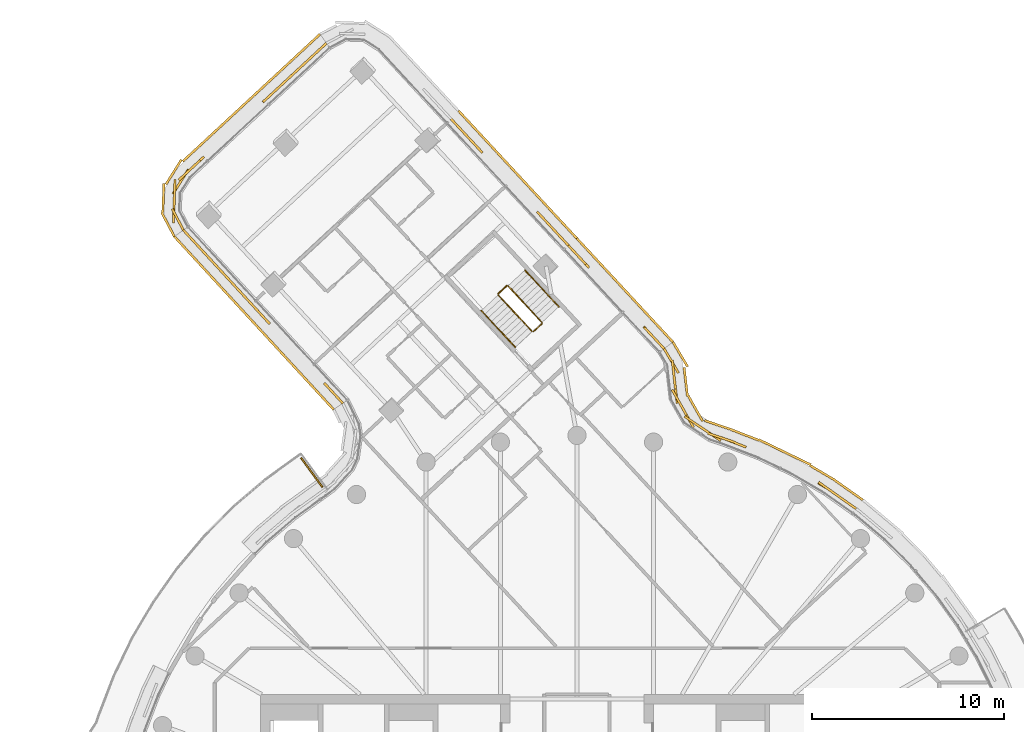
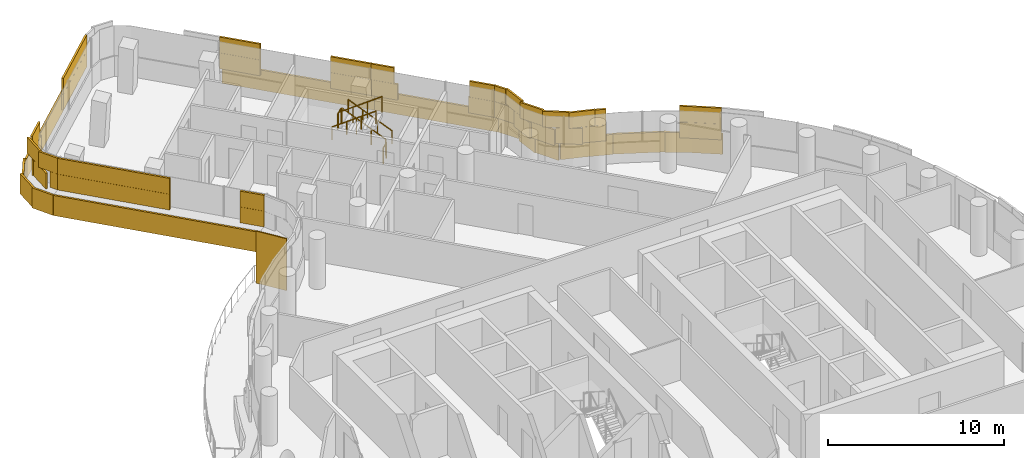
# One storey, part 32 of 34: 6 railings, 5 coverings, 1 shading device.
"""IFC4 building model written with IfcOpenShell, lengths in metres."""

import ifcopenshell
import ifcopenshell.guid

model = None  # the IFC model being written
_history = None  # IfcOwnerHistory: only IFC2X3 demands one
_inside = {}  # id of a spatial element -> (the spatial element, [elements in it])
_under = {}  # id of a project, library or spatial element -> (it, [spatial elements below it])
_declared = {}  # id of a project -> (the project, [libraries it declares])
_typed = {}  # id of a type object -> (the type object, [elements of that type])
_made_of = {}  # id of a material, layer set ... -> (it, [elements and type objects made of it])


def new_model(schema):
    """Start an empty IFC model of exactly this schema.

    Asked for "IFC4X3", IfcOpenShell would pick the latest addendum, in which some entities
    have other attributes; the version numbers below select the first issue.
    IFC2X3 requires an IfcOwnerHistory on every rooted entity: one is made here for all.
    """
    global model, _history
    if schema == "IFC4X3":
        model = ifcopenshell.file(schema_version=(4, 3, 0, 0))
    else:
        model = ifcopenshell.file(schema=schema)
    _inside.clear()
    _under.clear()
    _declared.clear()
    _typed.clear()
    _made_of.clear()
    _history = None
    if model.schema == "IFC2X3":
        org = make("IfcOrganization", Name="unknown")
        user = make(
            "IfcPersonAndOrganization",
            ThePerson=make("IfcPerson", FamilyName="unknown"),
            TheOrganization=org,
        )
        app = make(
            "IfcApplication",
            ApplicationDeveloper=org,
            Version="unknown",
            ApplicationFullName="unknown",
            ApplicationIdentifier="unknown",
        )
        _history = make(
            "IfcOwnerHistory",
            OwningUser=user,
            OwningApplication=app,
            ChangeAction="ADDED",
            CreationDate=0,
        )
    return model


def make(cls, **values):
    """One entity of the class cls with the attributes given. An attribute that is None is left unset."""
    return model.create_entity(
        cls, **{name: value for name, value in values.items() if value is not None}
    )


def rooted(cls, **values):
    """An entity with a GlobalId (a new one), such as an element, a storey or a relation."""
    return make(cls, GlobalId=ifcopenshell.guid.new(), OwnerHistory=_history, **values)


def si_unit(unit_type, name, prefix=None):
    """IfcSIUnit, for example si_unit("LENGTHUNIT", "METRE", prefix="MILLI")."""
    return make("IfcSIUnit", UnitType=unit_type, Prefix=prefix, Name=name)


def assignment(units):
    """IfcUnitAssignment: the units of a project."""
    return None if units is None else make("IfcUnitAssignment", Units=units)


def point(xyz):
    """IfcCartesianPoint."""
    return None if xyz is None else make("IfcCartesianPoint", Coordinates=xyz)


def direction(xyz):
    """IfcDirection."""
    return None if xyz is None else make("IfcDirection", DirectionRatios=xyz)


def frame(location, z_axis=None, x_axis=None):
    """IfcAxis2Placement3D, a coordinate frame: its origin and axes. An axis left out is left unset."""
    return make(
        "IfcAxis2Placement3D",
        Location=point(location),
        Axis=direction(z_axis),
        RefDirection=direction(x_axis),
    )


def frame_2d(location, x_axis=None):
    """IfcAxis2Placement2D, a coordinate frame in the plane: its origin and x axis."""
    return make(
        "IfcAxis2Placement2D", Location=point(location), RefDirection=direction(x_axis)
    )


def origin():
    """The frame at (0, 0, 0) with its axes left unset."""
    return frame((0.0, 0.0, 0.0))


def origin_2d():
    """The frame at (0, 0) in the plane with its x axis left unset."""
    return frame_2d((0.0, 0.0))


def place(relative_to, where):
    """IfcLocalPlacement: puts the frame where relative to a parent placement (None: the world)."""
    return make(
        "IfcLocalPlacement", PlacementRelTo=relative_to, RelativePlacement=where
    )


def context(
    kind, dimensions, precision=None, world=None, true_north=None, identifier=None
):
    """IfcGeometricRepresentationContext, for example the 3D "Model" context."""
    return make(
        "IfcGeometricRepresentationContext",
        ContextIdentifier=identifier,
        ContextType=kind,
        CoordinateSpaceDimension=dimensions,
        Precision=precision,
        WorldCoordinateSystem=world,
        TrueNorth=true_north,
    )


def subcontext(parent, identifier, kind, view, scale=None):
    """IfcGeometricRepresentationSubContext, for example "Body" below "Model"."""
    return make(
        "IfcGeometricRepresentationSubContext",
        ContextIdentifier=identifier,
        ContextType=kind,
        ParentContext=parent,
        TargetScale=scale,
        TargetView=view,
    )


def project(units=None, contexts=None):
    """IfcProject with its units and contexts."""
    return rooted(
        "IfcProject",
        Name="project",
        RepresentationContexts=contexts,
        UnitsInContext=assignment(units),
    )


def spatial(cls, under=None, at=None, **own):
    """A site, building, storey or space (cls), placed at a placement, below another one or the project."""
    s = rooted(cls, ObjectPlacement=at, **own)
    if under is not None:
        _under.setdefault(under.id(), (under, []))[1].append(s)
    return s


def profile(cls, at=None, kind="AREA", **sizes):
    """A parametric profile (cls). Its sizes go by their IFC names, for example OverallWidth=200.0."""
    return make(cls, ProfileType=kind, Position=at, **sizes)


def rectangle(**sizes):
    """IfcRectangleProfileDef."""
    return profile("IfcRectangleProfileDef", **sizes)


def circle(**sizes):
    """IfcCircleProfileDef."""
    return profile("IfcCircleProfileDef", **sizes)


def extrude(swept, where, along, depth):
    """IfcExtrudedAreaSolid: the profile swept, set in the frame where, extruded along a direction by depth."""
    return make(
        "IfcExtrudedAreaSolid",
        SweptArea=swept,
        Position=where,
        ExtrudedDirection=direction(along),
        Depth=depth,
    )


def shape(context_of_items, identifier, shape_type, items):
    """IfcShapeRepresentation: the items that make up one representation, for example the "Body"."""
    return make(
        "IfcShapeRepresentation",
        ContextOfItems=context_of_items,
        RepresentationIdentifier=identifier,
        RepresentationType=shape_type,
        Items=items,
    )


def material(Name=None, Category=None):
    """IfcMaterial."""
    return make("IfcMaterial", Name=Name, Category=Category)


def layer(
    of_material, thickness, ventilated=None, Name=None, Category=None, Priority=None
):
    """IfcMaterialLayer: one layer of a wall or slab, of a material (None: an air gap)."""
    return make(
        "IfcMaterialLayer",
        Material=of_material,
        LayerThickness=thickness,
        IsVentilated=ventilated,
        Name=Name,
        Category=Category,
        Priority=Priority,
    )


def layer_set(layers, Name=None):
    """IfcMaterialLayerSet."""
    return make("IfcMaterialLayerSet", MaterialLayers=layers, LayerSetName=Name)


def made_of(thing, what):
    """Note that an element or type object is made of a material, layer set ...; save() writes the relation."""
    if what is not None:
        _made_of.setdefault(what.id(), (what, []))[1].append(thing)
    return thing


def type_object(cls, material=None, **own):
    """A type object (cls), such as IfcWallType, which elements share."""
    return made_of(rooted(cls, **own), material)


def element(
    cls,
    number,
    at=None,
    inside=None,
    cuts=None,
    type_object=None,
    material=None,
    context=None,
    identifier="Body",
    shape_type=None,
    held_by="IfcProductDefinitionShape",
    body=None,
    shapes=None,
    **own,
):
    """One element of the class cls, such as IfcWall. Its Tag is "e" and its number.

    at: its placement. inside: the storey or other place that contains it. cuts: it is an
    opening in that element (IfcRelVoidsElement). A single representation is given by context,
    identifier, shape_type and body (its items); several are given by shapes. held_by: the class
    of the entity that holds the representations. save() writes the other relations.
    """
    e = rooted(cls, Tag="e%d" % number, ObjectPlacement=at, **own)
    if body is not None:
        shapes = [shape(context, identifier, shape_type, body)]
    if shapes is not None:
        e.Representation = make(held_by, Representations=shapes)
    if inside is not None:
        _inside.setdefault(inside.id(), (inside, []))[1].append(e)
    if cuts is not None:
        rooted(
            "IfcRelVoidsElement", RelatingBuildingElement=cuts, RelatedOpeningElement=e
        )
    if type_object is not None:
        _typed.setdefault(type_object.id(), (type_object, []))[1].append(e)
    return made_of(e, material)


def aggregate(whole, parts):
    """IfcRelAggregates: a whole, such as a stair, and the parts it consists of."""
    return rooted("IfcRelAggregates", RelatingObject=whole, RelatedObjects=parts)


def save(model, path):
    """Write the relations noted so far, then the file.

    IfcRelAggregates (storeys below a building ...), IfcRelContainedInSpatialStructure (elements
    in a storey), IfcRelDefinesByType, IfcRelAssociatesMaterial and IfcRelDeclares: one each for
    every whole, place, type object, material and project.
    """
    for whole, parts in _under.values():
        aggregate(whole, parts)
    for where, things in _inside.values():
        rooted(
            "IfcRelContainedInSpatialStructure",
            RelatedElements=things,
            RelatingStructure=where,
        )
    for kind, things in _typed.values():
        rooted("IfcRelDefinesByType", RelatedObjects=things, RelatingType=kind)
    for what, things in _made_of.values():
        rooted("IfcRelAssociatesMaterial", RelatedObjects=things, RelatingMaterial=what)
    for by, libraries in _declared.values():
        rooted("IfcRelDeclares", RelatingContext=by, RelatedDefinitions=libraries)
    model.write(path)


model = new_model("IFC4")

# Units and contexts
model_context = context("Model", 3, precision=1e-05, world=origin(), true_north=direction((0.0, 1.0)))
body_context = subcontext(model_context, "Body", "Model", "MODEL_VIEW")
ifc_project = project(units=[si_unit("LENGTHUNIT", "METRE"), si_unit("AREAUNIT", "SQUARE_METRE"), si_unit("VOLUMEUNIT", "CUBIC_METRE"), si_unit("PLANEANGLEUNIT", "RADIAN"), si_unit("MASSUNIT", "GRAM", prefix="KILO")], contexts=[model_context])

# Site, building, storey
site_placement = place(None, origin())
site = spatial("IfcSite", under=ifc_project, at=site_placement, CompositionType="ELEMENT")
building_placement = place(site_placement, origin())
building = spatial("IfcBuilding", under=site, at=building_placement, Name="Tamarind Cross Interchange Tower", CompositionType="ELEMENT")
storey_placement = place(building_placement, frame((0.0, 0.0, 189.699951171875)))
storey = spatial("IfcBuildingStorey", under=building, at=storey_placement, Name="L47", CompositionType="ELEMENT", Elevation=189.699951171875)

# Shading device
ifc_material_1 = material(Name="Bronze-finish aluminium louvre", Category="aluminium")
ifc_layer_1 = layer(ifc_material_1, 0.080078125)
ifc_layer_set_1 = layer_set([ifc_layer_1], Name="Bronze-finish aluminium louvre")
shading_device_type = type_object("IfcShadingDeviceType", Name="Operable louvre bay", PredefinedType="JALOUSIE", material=ifc_layer_set_1)
shading_device_placement = place(storey_placement, origin())
element("IfcShadingDevice", 1, at=shading_device_placement, inside=storey, type_object=shading_device_type, Name="LVR-L47-BAL06", PredefinedType="JALOUSIE", context=body_context, shape_type="SweptSolid", body=[
    extrude(rectangle(XDim=1.89990234375, YDim=0.080078125, at=origin_2d()), frame((-13.832763671875, 21.063720703125, 0.0), z_axis=(0.0, 0.0, 1.0), x_axis=(-0.590684355801, 0.806902715209, 0.0)), (0.0, 0.0, 1.0), 3.60009765625),
])

# Railings
ifc_material_2 = material(Name="Stair guard")
railing_type_1 = type_object("IfcRailingType", Name="Stair guard", PredefinedType="GUARDRAIL", material=ifc_material_2)
railing_1_placement = place(storey_placement, frame((-1.826904296875, 28.8974609375, 0.16357421875)))
element("IfcRailing", 2, at=railing_1_placement, inside=storey, type_object=railing_type_1, Name="L47 ST4 stair guard 1", PredefinedType="GUARDRAIL", context=body_context, shape_type="SweptSolid", body=[
    extrude(circle(Radius=0.02392578125, at=origin_2d()), frame((0.0, 0.0, 1.076171875), z_axis=(-0.575439178201, 0.620577895674, 0.532684547919), x_axis=(-0.733271561694, -0.679935891692, 0.0)), (0.0, 0.0, 1.0), 3.072021484375),
    extrude(circle(Radius=0.02099609375, at=origin_2d()), origin(), (0.0, 0.0, 1.0), 1.052001953125),
    extrude(circle(Radius=0.02099609375, at=origin_2d()), frame((-0.58935546875, 0.635498046875, 0.54541015625)), (0.0, 0.0, 1.0), 1.052001953125),
    extrude(circle(Radius=0.02099609375, at=origin_2d()), frame((-1.178466796875, 1.27099609375, 1.091064453125)), (0.0, 0.0, 1.0), 1.052001953125),
    extrude(circle(Radius=0.02099609375, at=origin_2d()), frame((-1.767822265625, 1.906494140625, 1.636474609375)), (0.0, 0.0, 1.0), 1.052001953125),
])
railing_2_placement = place(storey_placement, frame((-3.665283203125, 30.806640625, 1.800048828125)))
element("IfcRailing", 3, at=railing_2_placement, inside=storey, type_object=railing_type_1, Name="L47 ST4 stair guard 2", PredefinedType="GUARDRAIL", context=body_context, shape_type="SweptSolid", body=[
    extrude(circle(Radius=0.02392578125, at=origin_2d()), frame((0.0, 0.0, 1.076171875), z_axis=(-0.733257090677, -0.679951497514, 0.0), x_axis=(0.679951497514, -0.733257090677, 0.0)), (0.0, 0.0, 1.0), 0.60009765625),
    extrude(circle(Radius=0.02099609375, at=origin_2d()), origin(), (0.0, 0.0, 1.0), 1.052001953125),
    extrude(circle(Radius=0.02099609375, at=origin_2d()), frame((-0.43994140625, -0.407958984375, 0.0)), (0.0, 0.0, 1.0), 1.052001953125),
])
railing_3_placement = place(storey_placement, frame((-4.10791015625, 30.328125, 1.963623046875)))
element("IfcRailing", 4, at=railing_3_placement, inside=storey, type_object=railing_type_1, Name="L47 ST4 stair guard 3", PredefinedType="GUARDRAIL", context=body_context, shape_type="SweptSolid", body=[
    extrude(circle(Radius=0.02392578125, at=origin_2d()), frame((0.0, 0.0, 1.076171875), z_axis=(0.575386019761, -0.620606274629, 0.532708907522), x_axis=(0.733318379799, 0.679885397585, 0.0)), (0.0, 0.0, 1.0), 3.072021484375),
    extrude(circle(Radius=0.02099609375, at=origin_2d()), origin(), (0.0, 0.0, 1.0), 1.052001953125),
    extrude(circle(Radius=0.02099609375, at=origin_2d()), frame((0.589111328125, -0.635498046875, 0.54541015625)), (0.0, 0.0, 1.0), 1.052001953125),
    extrude(circle(Radius=0.02099609375, at=origin_2d()), frame((1.178466796875, -1.27099609375, 1.091064453125)), (0.0, 0.0, 1.0), 1.052001953125),
    extrude(circle(Radius=0.02099609375, at=origin_2d()), frame((1.767578125, -1.906494140625, 1.636474609375)), (0.0, 0.0, 1.0), 1.052001953125),
])
railing_4_placement = place(storey_placement, frame((-1.82958984375, 28.826904296875, 0.0)))
element("IfcRailing", 5, at=railing_4_placement, inside=storey, type_object=railing_type_1, Name="L47 ST4 stair guard 4", PredefinedType="GUARDRAIL", context=body_context, shape_type="SweptSolid", body=[
    extrude(circle(Radius=0.02392578125, at=origin_2d()), frame((0.0, 0.0, 1.076171875), z_axis=(-0.733257090677, -0.679951497514, 0.0), x_axis=(0.679951497514, -0.733257090677, 0.0)), (0.0, 0.0, 1.0), 0.60009765625),
    extrude(circle(Radius=0.02099609375, at=origin_2d()), origin(), (0.0, 0.0, 1.0), 1.052001953125),
    extrude(circle(Radius=0.02099609375, at=origin_2d()), frame((-0.43994140625, -0.407958984375, 0.0)), (0.0, 0.0, 1.0), 1.052001953125),
])
ifc_material_3 = material(Name="Stair handrail")
railing_type_2 = type_object("IfcRailingType", Name="Stair handrail", PredefinedType="HANDRAIL", material=ifc_material_3)
railing_5_placement = place(storey_placement, frame((-0.947021484375, 29.71337890625, 0.16357421875)))
element("IfcRailing", 6, at=railing_5_placement, inside=storey, type_object=railing_type_2, Name="L47 ST4 stair handrail 1", PredefinedType="HANDRAIL", context=body_context, shape_type="SweptSolid", body=[
    extrude(circle(Radius=0.02392578125, at=origin_2d()), frame((0.0, 0.0, 0.8759765625), z_axis=(-0.575439178201, 0.620577895674, 0.532684547919), x_axis=(-0.733271561694, -0.679935891692, 0.0)), (0.0, 0.0, 1.0), 3.072021484375),
    extrude(circle(Radius=0.02099609375, at=origin_2d()), origin(), (0.0, 0.0, 1.0), 0.851806640625),
    extrude(circle(Radius=0.02099609375, at=origin_2d()), frame((-0.58935546875, 0.635498046875, 0.54541015625)), (0.0, 0.0, 1.0), 0.851806640625),
    extrude(circle(Radius=0.02099609375, at=origin_2d()), frame((-1.178466796875, 1.27099609375, 1.091064453125)), (0.0, 0.0, 1.0), 0.851806640625),
    extrude(circle(Radius=0.02099609375, at=origin_2d()), frame((-1.767822265625, 1.906494140625, 1.636474609375)), (0.0, 0.0, 1.0), 0.851806640625),
])
railing_6_placement = place(storey_placement, frame((-4.988037109375, 29.51220703125, 1.963623046875)))
element("IfcRailing", 7, at=railing_6_placement, inside=storey, type_object=railing_type_2, Name="L47 ST4 stair handrail 2", PredefinedType="HANDRAIL", context=body_context, shape_type="SweptSolid", body=[
    extrude(circle(Radius=0.02392578125, at=origin_2d()), frame((0.0, 0.0, 0.8759765625), z_axis=(0.575439178201, -0.620577895674, 0.532684547919), x_axis=(0.733271561694, 0.679935891692, 0.0)), (0.0, 0.0, 1.0), 3.072021484375),
    extrude(circle(Radius=0.02099609375, at=origin_2d()), origin(), (0.0, 0.0, 1.0), 0.851806640625),
    extrude(circle(Radius=0.02099609375, at=origin_2d()), frame((0.58935546875, -0.635498046875, 0.54541015625)), (0.0, 0.0, 1.0), 0.851806640625),
    extrude(circle(Radius=0.02099609375, at=origin_2d()), frame((1.178466796875, -1.27099609375, 1.091064453125)), (0.0, 0.0, 1.0), 0.851806640625),
    extrude(circle(Radius=0.02099609375, at=origin_2d()), frame((1.767822265625, -1.906494140625, 1.636474609375)), (0.0, 0.0, 1.0), 0.851806640625),
])

# Coverings
ifc_material_4 = material(Name="Terracotta", Category="masonry")
ifc_layer_2 = layer(ifc_material_4, 0.1201171875)
ifc_layer_set_2 = layer_set([ifc_layer_2], Name="Terracotta")
covering_type = type_object("IfcCoveringType", Name="Terracotta baguette screen unit", PredefinedType="MOLDING", material=ifc_layer_set_2)
covering_1_placement = place(storey_placement, origin())
element("IfcCovering", 8, at=covering_1_placement, inside=storey, type_object=covering_type, Name="SCR-L47-02-05", PredefinedType="MOLDING", context=body_context, shape_type="SweptSolid", body=[
    extrude(rectangle(XDim=0.464111328125, YDim=0.1201171875, at=origin_2d()), frame((14.374267578125, 19.3095703125, 1.40380859375), z_axis=(0.0, 0.0, 1.0), x_axis=(-0.816341886298, 0.577568978284, 0.0)), (0.0, 0.0, 1.0), 1.092041015625),
    extrude(rectangle(XDim=1.52001953125, YDim=0.1201171875, at=origin_2d()), frame((13.57666015625, 19.8740234375, 1.40380859375), z_axis=(0.0, 0.0, 1.0), x_axis=(-0.816341886298, 0.577568978284, 0.0)), (0.0, 0.0, 1.0), 1.092041015625),
    extrude(rectangle(XDim=0.451171875, YDim=0.1201171875, at=origin_2d()), frame((12.767822265625, 20.408935546875, 1.40380859375), z_axis=(0.0, 0.0, 1.0), x_axis=(-0.861248933065, 0.508183308752, 0.0)), (0.0, 0.0, 1.0), 1.092041015625),
    extrude(rectangle(XDim=1.368896484375, YDim=0.1201171875, at=origin_2d()), frame((8.190673828125, 22.634033203125, 1.40380859375), z_axis=(0.0, 0.0, 1.0), x_axis=(-0.933146843667, 0.359495435512, 0.0)), (0.0, 0.0, 1.0), 1.092041015625),
    extrude(rectangle(XDim=1.52001953125, YDim=0.1201171875, at=origin_2d()), frame((6.865966796875, 23.156494140625, 1.40380859375), z_axis=(0.0, 0.0, 1.0), x_axis=(-0.830965766749, 0.556323551983, 0.0)), (0.0, 0.0, 1.0), 1.092041015625),
    extrude(rectangle(XDim=1.52001953125, YDim=0.1201171875, at=origin_2d()), frame((5.70849609375, 24.073486328125, 1.40380859375), z_axis=(0.0, 0.0, 1.0), x_axis=(-0.491757446124, 0.870732228749, 0.0)), (0.0, 0.0, 1.0), 1.092041015625),
    extrude(rectangle(XDim=1.52001953125, YDim=0.1201171875, at=origin_2d()), frame((5.140625, 25.434814453125, 1.40380859375), z_axis=(0.0, 0.0, 1.0), x_axis=(-0.116102474619, 0.993237240234, 0.0)), (0.0, 0.0, 1.0), 1.092041015625),
    extrude(rectangle(XDim=1.4833984375, YDim=0.1201171875, at=origin_2d()), frame((4.91943359375, 26.894287109375, 1.40380859375), z_axis=(0.0, 0.0, 1.0), x_axis=(-0.510330036223, 0.859978635856, 0.0)), (0.0, 0.0, 1.0), 1.092041015625),
    extrude(rectangle(XDim=1.214111328125, YDim=0.1201171875, at=origin_2d()), frame((14.068115234375, 19.5263671875, 2.50390625), z_axis=(0.0, 0.0, 1.0), x_axis=(-0.816341886298, 0.577568978284, 0.0)), (0.0, 0.0, 1.0), 1.092041015625),
    extrude(rectangle(XDim=1.201171875, YDim=0.1201171875, at=origin_2d()), frame((13.090576171875, 20.218017578125, 2.50390625), z_axis=(0.0, 0.0, 1.0), x_axis=(-0.816341886298, 0.577568978284, 0.0)), (0.0, 0.0, 1.0), 1.092041015625),
    extrude(rectangle(XDim=0.618896484375, YDim=0.1201171875, at=origin_2d()), frame((8.54052734375, 22.499267578125, 2.50390625), z_axis=(0.0, 0.0, 1.0), x_axis=(-0.933146843667, 0.359495435512, 0.0)), (0.0, 0.0, 1.0), 1.092041015625),
    extrude(rectangle(XDim=1.52001953125, YDim=0.1201171875, at=origin_2d()), frame((7.553955078125, 22.87109375, 2.50390625), z_axis=(0.0, 0.0, 1.0), x_axis=(-0.947752126651, 0.319007690234, 0.0)), (0.0, 0.0, 1.0), 1.092041015625),
    extrude(rectangle(XDim=1.52001953125, YDim=0.1201171875, at=origin_2d()), frame((6.24267578125, 23.57373046875, 2.50390625), z_axis=(0.0, 0.0, 1.0), x_axis=(-0.830965766749, 0.556323551983, 0.0)), (0.0, 0.0, 1.0), 1.092041015625),
    extrude(rectangle(XDim=1.52001953125, YDim=0.1201171875, at=origin_2d()), frame((5.339599609375, 24.7265625, 2.50390625), z_axis=(0.0, 0.0, 1.0), x_axis=(-0.491757446124, 0.870732228749, 0.0)), (0.0, 0.0, 1.0), 1.092041015625),
    extrude(rectangle(XDim=1.52001953125, YDim=0.1201171875, at=origin_2d()), frame((5.0546875, 26.179931640625, 2.50390625), z_axis=(0.0, 0.0, 1.0), x_axis=(-0.111188768096, 0.993799304613, 0.0)), (0.0, 0.0, 1.0), 1.092041015625),
    extrude(rectangle(XDim=0.7333984375, YDim=0.1201171875, at=origin_2d()), frame((4.72802734375, 27.216796875, 2.50390625), z_axis=(0.0, 0.0, 1.0), x_axis=(-0.510330036223, 0.859978635856, 0.0)), (0.0, 0.0, 1.0), 1.092041015625),
    extrude(rectangle(XDim=0.283447265625, YDim=0.1201171875, at=origin_2d()), frame((14.791259765625, 19.7177734375, 0.00390625), z_axis=(0.0, 0.0, 1.0), x_axis=(-0.816341886298, 0.577568978284, 0.0)), (0.0, 0.0, 1.0), 1.39208984375),
    extrude(rectangle(XDim=1.52001953125, YDim=0.1201171875, at=origin_2d()), frame((14.0712890625, 20.22705078125, 0.00390625), z_axis=(0.0, 0.0, 1.0), x_axis=(-0.816341886298, 0.577568978284, 0.0)), (0.0, 0.0, 1.0), 1.39208984375),
    extrude(rectangle(XDim=1.52001953125, YDim=0.1201171875, at=origin_2d()), frame((12.81640625, 21.046630859375, 0.00390625), z_axis=(0.0, 0.0, 1.0), x_axis=(-0.861248933065, 0.508183308752, 0.0)), (0.0, 0.0, 1.0), 1.39208984375),
    extrude(rectangle(XDim=1.52001953125, YDim=0.1201171875, at=origin_2d()), frame((11.519287109375, 21.798828125, 0.00390625), z_axis=(0.0, 0.0, 1.0), x_axis=(-0.900272776334, 0.435326231914, 0.0)), (0.0, 0.0, 1.0), 1.39208984375),
    extrude(rectangle(XDim=1.52001953125, YDim=0.1201171875, at=origin_2d()), frame((10.168701171875, 22.45166015625, 0.00390625), z_axis=(0.0, 0.0, 1.0), x_axis=(-0.900272776334, 0.435326231914, 0.0)), (0.0, 0.0, 1.0), 1.39208984375),
    extrude(rectangle(XDim=1.52001953125, YDim=0.1201171875, at=origin_2d()), frame((8.7822265625, 23.021240234375, 0.00390625), z_axis=(0.0, 0.0, 1.0), x_axis=(-0.933146843667, 0.359495435512, 0.0)), (0.0, 0.0, 1.0), 1.39208984375),
    extrude(rectangle(XDim=1.52001953125, YDim=0.1201171875, at=origin_2d()), frame((7.3740234375, 23.537353515625, 0.00390625), z_axis=(0.0, 0.0, 1.0), x_axis=(-0.947752126651, 0.319007690234, 0.0)), (0.0, 0.0, 1.0), 1.39208984375),
    extrude(rectangle(XDim=1.52001953125, YDim=0.1201171875, at=origin_2d()), frame((6.17919921875, 24.4072265625, 0.00390625), z_axis=(0.0, 0.0, 1.0), x_axis=(-0.491757446124, 0.870732228749, 0.0)), (0.0, 0.0, 1.0), 1.39208984375),
    extrude(rectangle(XDim=1.52001953125, YDim=0.1201171875, at=origin_2d()), frame((5.677001953125, 25.7900390625, 0.00390625), z_axis=(0.0, 0.0, 1.0), x_axis=(-0.116102474619, 0.993237240234, 0.0)), (0.0, 0.0, 1.0), 1.39208984375),
    extrude(rectangle(XDim=1.49853515625, YDim=0.1201171875, at=origin_2d()), frame((5.38818359375, 27.22900390625, 0.00390625), z_axis=(0.0, 0.0, 1.0), x_axis=(-0.510330036223, 0.859978635856, 0.0)), (0.0, 0.0, 1.0), 1.39208984375),
])
covering_2_placement = place(storey_placement, origin())
element("IfcCovering", 9, at=covering_2_placement, inside=storey, type_object=covering_type, Name="SCR-L47-03-00", PredefinedType="MOLDING", context=body_context, shape_type="SweptSolid", body=[
    extrude(rectangle(XDim=0.760009765625, YDim=0.1201171875, at=origin_2d()), frame((4.288330078125, 27.802734375, 1.40380859375), z_axis=(0.0, 0.0, 1.0), x_axis=(-0.679912424958, 0.73329332084, 0.0)), (0.0, 0.0, 1.0), 1.092041015625),
    extrude(rectangle(XDim=0.82666015625, YDim=0.1201171875, at=origin_2d()), frame((3.755859375, 28.377197265625, 1.40380859375), z_axis=(0.0, 0.0, 1.0), x_axis=(-0.679912424958, 0.73329332084, 0.0)), (0.0, 0.0, 1.0), 1.092041015625),
    extrude(rectangle(XDim=0.993408203125, YDim=0.1201171875, at=origin_2d()), frame((0.288330078125, 32.116943359375, 1.40380859375), z_axis=(0.0, 0.0, 1.0), x_axis=(-0.679912424958, 0.73329332084, 0.0)), (0.0, 0.0, 1.0), 1.092041015625),
    extrude(rectangle(XDim=0.59326171875, YDim=0.1201171875, at=origin_2d()), frame((-0.244384765625, 32.69140625, 1.40380859375), z_axis=(0.0, 0.0, 1.0), x_axis=(-0.679912424958, 0.73329332084, 0.0)), (0.0, 0.0, 1.0), 1.092041015625),
    extrude(rectangle(XDim=1.510009765625, YDim=0.1201171875, at=origin_2d()), frame((4.033447265625, 28.07763671875, 2.50390625), z_axis=(0.0, 0.0, 1.0), x_axis=(-0.679912424958, 0.73329332084, 0.0)), (0.0, 0.0, 1.0), 1.092041015625),
    extrude(rectangle(XDim=1.34326171875, YDim=0.1201171875, at=origin_2d()), frame((0.010498046875, 32.416259765625, 2.50390625), z_axis=(0.0, 0.0, 1.0), x_axis=(-0.679912424958, 0.73329332084, 0.0)), (0.0, 0.0, 1.0), 1.092041015625),
    extrude(rectangle(XDim=0.760009765625, YDim=0.1201171875, at=origin_2d()), frame((4.747314453125, 28.15185546875, 0.00390625), z_axis=(0.0, 0.0, 1.0), x_axis=(-0.679912424958, 0.73329332084, 0.0)), (0.0, 0.0, 1.0), 1.39208984375),
    extrude(rectangle(XDim=1.52001953125, YDim=0.1201171875, at=origin_2d()), frame((3.98583984375, 28.97314453125, 0.00390625), z_axis=(0.0, 0.0, 1.0), x_axis=(-0.679912424958, 0.73329332084, 0.0)), (0.0, 0.0, 1.0), 1.39208984375),
    extrude(rectangle(XDim=1.52001953125, YDim=0.1201171875, at=origin_2d()), frame((2.966064453125, 30.072998046875, 0.00390625), z_axis=(0.0, 0.0, 1.0), x_axis=(-0.679912424958, 0.73329332084, 0.0)), (0.0, 0.0, 1.0), 1.39208984375),
    extrude(rectangle(XDim=1.52001953125, YDim=0.1201171875, at=origin_2d()), frame((1.9462890625, 31.173095703125, 0.00390625), z_axis=(0.0, 0.0, 1.0), x_axis=(-0.679912424958, 0.73329332084, 0.0)), (0.0, 0.0, 1.0), 1.39208984375),
    extrude(rectangle(XDim=1.52001953125, YDim=0.1201171875, at=origin_2d()), frame((0.92626953125, 32.27294921875, 0.00390625), z_axis=(0.0, 0.0, 1.0), x_axis=(-0.679912424958, 0.73329332084, 0.0)), (0.0, 0.0, 1.0), 1.39208984375),
    extrude(rectangle(XDim=0.6396484375, YDim=0.1201171875, at=origin_2d()), frame((0.205810546875, 33.05029296875, 0.00390625), z_axis=(0.0, 0.0, 1.0), x_axis=(-0.679912424958, 0.73329332084, 0.0)), (0.0, 0.0, 1.0), 1.39208984375),
])
covering_3_placement = place(storey_placement, origin())
element("IfcCovering", 10, at=covering_3_placement, inside=storey, type_object=covering_type, Name="SCR-L47-03-01", PredefinedType="MOLDING", context=body_context, shape_type="SweptSolid", body=[
    extrude(rectangle(XDim=0.9267578125, YDim=0.1201171875, at=origin_2d()), frame((-0.75439453125, 33.2412109375, 1.40380859375), z_axis=(0.0, 0.0, 1.0), x_axis=(-0.679912424958, 0.73329332084, 0.0)), (0.0, 0.0, 1.0), 1.092041015625),
    extrude(rectangle(XDim=1.497802734375, YDim=0.1201171875, at=origin_2d()), frame((-1.57177734375, 34.122802734375, 1.40380859375), z_axis=(0.0, 0.0, 1.0), x_axis=(-0.679912424958, 0.73329332084, 0.0)), (0.0, 0.0, 1.0), 1.092041015625),
    extrude(rectangle(XDim=0.322265625, YDim=0.1201171875, at=origin_2d()), frame((-5.039306640625, 37.86279296875, 1.40380859375), z_axis=(0.0, 0.0, 1.0), x_axis=(-0.679912424958, 0.73329332084, 0.0)), (0.0, 0.0, 1.0), 1.092041015625),
    extrude(rectangle(XDim=1.52001953125, YDim=0.1201171875, at=origin_2d()), frame((-5.6552734375, 38.527099609375, 1.40380859375), z_axis=(0.0, 0.0, 1.0), x_axis=(-0.679912424958, 0.73329332084, 0.0)), (0.0, 0.0, 1.0), 1.092041015625),
    extrude(rectangle(XDim=0.602294921875, YDim=0.1201171875, at=origin_2d()), frame((-6.36669921875, 39.294189453125, 1.40380859375), z_axis=(0.0, 0.0, 1.0), x_axis=(-0.679912424958, 0.73329332084, 0.0)), (0.0, 0.0, 1.0), 1.092041015625),
    extrude(rectangle(XDim=0.1767578125, YDim=0.1201171875, at=origin_2d()), frame((-0.499267578125, 32.96630859375, 2.50390625), z_axis=(0.0, 0.0, 1.0), x_axis=(-0.679912424958, 0.73329332084, 0.0)), (0.0, 0.0, 1.0), 1.092041015625),
    extrude(rectangle(XDim=1.52001953125, YDim=0.1201171875, at=origin_2d()), frame((-1.06591796875, 33.577392578125, 2.50390625), z_axis=(0.0, 0.0, 1.0), x_axis=(-0.679912424958, 0.73329332084, 0.0)), (0.0, 0.0, 1.0), 1.092041015625),
    extrude(rectangle(XDim=0.747802734375, YDim=0.1201171875, at=origin_2d()), frame((-1.82666015625, 34.39794921875, 2.50390625), z_axis=(0.0, 0.0, 1.0), x_axis=(-0.679912424958, 0.73329332084, 0.0)), (0.0, 0.0, 1.0), 1.092041015625),
    extrude(rectangle(XDim=1.072265625, YDim=0.1201171875, at=origin_2d()), frame((-5.294189453125, 38.1376953125, 2.50390625), z_axis=(0.0, 0.0, 1.0), x_axis=(-0.679912424958, 0.73329332084, 0.0)), (0.0, 0.0, 1.0), 1.092041015625),
    extrude(rectangle(XDim=1.352294921875, YDim=0.1201171875, at=origin_2d()), frame((-6.111572265625, 39.019287109375, 2.50390625), z_axis=(0.0, 0.0, 1.0), x_axis=(-0.679912424958, 0.73329332084, 0.0)), (0.0, 0.0, 1.0), 1.092041015625),
    extrude(rectangle(XDim=0.88037109375, YDim=0.1201171875, at=origin_2d()), frame((-0.31103515625, 33.607421875, 0.00390625), z_axis=(0.0, 0.0, 1.0), x_axis=(-0.679912424958, 0.73329332084, 0.0)), (0.0, 0.0, 1.0), 1.39208984375),
    extrude(rectangle(XDim=1.52001953125, YDim=0.1201171875, at=origin_2d()), frame((-1.113525390625, 34.472900390625, 0.00390625), z_axis=(0.0, 0.0, 1.0), x_axis=(-0.679912424958, 0.73329332084, 0.0)), (0.0, 0.0, 1.0), 1.39208984375),
    extrude(rectangle(XDim=1.52001953125, YDim=0.1201171875, at=origin_2d()), frame((-2.13330078125, 35.57275390625, 0.00390625), z_axis=(0.0, 0.0, 1.0), x_axis=(-0.679912424958, 0.73329332084, 0.0)), (0.0, 0.0, 1.0), 1.39208984375),
    extrude(rectangle(XDim=1.52001953125, YDim=0.1201171875, at=origin_2d()), frame((-3.153076171875, 36.6728515625, 0.00390625), z_axis=(0.0, 0.0, 1.0), x_axis=(-0.679912424958, 0.73329332084, 0.0)), (0.0, 0.0, 1.0), 1.39208984375),
    extrude(rectangle(XDim=1.52001953125, YDim=0.1201171875, at=origin_2d()), frame((-4.173095703125, 37.772705078125, 0.00390625), z_axis=(0.0, 0.0, 1.0), x_axis=(-0.679912424958, 0.73329332084, 0.0)), (0.0, 0.0, 1.0), 1.39208984375),
    extrude(rectangle(XDim=1.52001953125, YDim=0.1201171875, at=origin_2d()), frame((-5.19287109375, 38.87255859375, 0.00390625), z_axis=(0.0, 0.0, 1.0), x_axis=(-0.679912424958, 0.73329332084, 0.0)), (0.0, 0.0, 1.0), 1.39208984375),
    extrude(rectangle(XDim=0.705810546875, YDim=0.1201171875, at=origin_2d()), frame((-5.93603515625, 39.674072265625, 0.00390625), z_axis=(0.0, 0.0, 1.0), x_axis=(-0.679912424958, 0.73329332084, 0.0)), (0.0, 0.0, 1.0), 1.39208984375),
])
covering_4_placement = place(storey_placement, origin())
element("IfcCovering", 11, at=covering_4_placement, inside=storey, type_object=covering_type, Name="SCR-L47-04-00", PredefinedType="MOLDING", context=body_context, shape_type="SweptSolid", body=[
    extrude(rectangle(XDim=0.760009765625, YDim=0.1201171875, at=origin_2d()), frame((-13.33984375, 43.20703125, 1.40380859375), z_axis=(0.0, 0.0, 1.0), x_axis=(-0.73329332084, -0.679912424958, 0.0)), (0.0, 0.0, 1.0), 1.092041015625),
    extrude(rectangle(XDim=1.52001953125, YDim=0.1201171875, at=origin_2d()), frame((-14.164794921875, 42.442138671875, 1.40380859375), z_axis=(0.0, 0.0, 1.0), x_axis=(-0.73329332084, -0.679912424958, 0.0)), (0.0, 0.0, 1.0), 1.092041015625),
    extrude(rectangle(XDim=1.52001953125, YDim=0.1201171875, at=origin_2d()), frame((-15.264892578125, 41.42236328125, 1.40380859375), z_axis=(0.0, 0.0, 1.0), x_axis=(-0.73329332084, -0.679912424958, 0.0)), (0.0, 0.0, 1.0), 1.092041015625),
    extrude(rectangle(XDim=0.78466796875, YDim=0.1201171875, at=origin_2d()), frame((-16.098876953125, 40.64892578125, 1.40380859375), z_axis=(0.0, 0.0, 1.0), x_axis=(-0.73329332084, -0.679912424958, 0.0)), (0.0, 0.0, 1.0), 1.092041015625),
    extrude(rectangle(XDim=1.03515625, YDim=0.1201171875, at=origin_2d()), frame((-19.838623046875, 37.181396484375, 1.40380859375), z_axis=(0.0, 0.0, 1.0), x_axis=(-0.73329332084, -0.679912424958, 0.0)), (0.0, 0.0, 1.0), 1.092041015625),
    extrude(rectangle(XDim=1.52001953125, YDim=0.1201171875, at=origin_2d()), frame((-20.668701171875, 36.24365234375, 1.40380859375), z_axis=(0.0, 0.0, 1.0), x_axis=(-0.532332672263, -0.846535247961, 0.0)), (0.0, 0.0, 1.0), 1.092041015625),
    extrude(rectangle(XDim=1.52001953125, YDim=0.1201171875, at=origin_2d()), frame((-21.019775390625, 34.83544921875, 1.40380859375), z_axis=(0.0, 0.0, 1.0), x_axis=(-0.037745993464, -0.999287366065, 0.0)), (0.0, 0.0, 1.0), 1.092041015625),
    extrude(rectangle(XDim=0.509521484375, YDim=0.1201171875, at=origin_2d()), frame((-20.642822265625, 33.930908203125, 1.40380859375), z_axis=(0.0, 0.0, 1.0), x_axis=(0.466954693802, -0.884281241425, 0.0)), (0.0, 0.0, 1.0), 1.092041015625),
    extrude(rectangle(XDim=1.510009765625, YDim=0.1201171875, at=origin_2d()), frame((-13.614990234375, 42.9521484375, 2.50390625), z_axis=(0.0, 0.0, 1.0), x_axis=(-0.73329332084, -0.679912424958, 0.0)), (0.0, 0.0, 1.0), 1.092041015625),
    extrude(rectangle(XDim=1.52001953125, YDim=0.1201171875, at=origin_2d()), frame((-14.71484375, 41.93212890625, 2.50390625), z_axis=(0.0, 0.0, 1.0), x_axis=(-0.73329332084, -0.679912424958, 0.0)), (0.0, 0.0, 1.0), 1.092041015625),
    extrude(rectangle(XDim=1.52001953125, YDim=0.1201171875, at=origin_2d()), frame((-15.814697265625, 40.912353515625, 2.50390625), z_axis=(0.0, 0.0, 1.0), x_axis=(-0.73329332084, -0.679912424958, 0.0)), (0.0, 0.0, 1.0), 1.092041015625),
    extrude(rectangle(XDim=1.52001953125, YDim=0.1201171875, at=origin_2d()), frame((-20.214599609375, 36.832763671875, 2.50390625), z_axis=(0.0, 0.0, 1.0), x_axis=(-0.73329332084, -0.679912424958, 0.0)), (0.0, 0.0, 1.0), 1.092041015625),
    extrude(rectangle(XDim=1.52001953125, YDim=0.1201171875, at=origin_2d()), frame((-20.991455078125, 35.5849609375, 2.50390625), z_axis=(0.0, 0.0, 1.0), x_axis=(-0.037745993464, -0.999287366065, 0.0)), (0.0, 0.0, 1.0), 1.092041015625),
    extrude(rectangle(XDim=1.259521484375, YDim=0.1201171875, at=origin_2d()), frame((-20.818115234375, 34.262451171875, 2.50390625), z_axis=(0.0, 0.0, 1.0), x_axis=(0.466954693802, -0.884281241425, 0.0)), (0.0, 0.0, 1.0), 1.092041015625),
    extrude(rectangle(XDim=0.760009765625, YDim=0.1201171875, at=origin_2d()), frame((-13.678466796875, 43.676025390625, 0.00390625), z_axis=(0.0, 0.0, 1.0), x_axis=(-0.73329332084, -0.679912424958, 0.0)), (0.0, 0.0, 1.0), 1.39208984375),
    extrude(rectangle(XDim=1.52001953125, YDim=0.1201171875, at=origin_2d()), frame((-14.499755859375, 42.91455078125, 0.00390625), z_axis=(0.0, 0.0, 1.0), x_axis=(-0.73329332084, -0.679912424958, 0.0)), (0.0, 0.0, 1.0), 1.39208984375),
    extrude(rectangle(XDim=1.52001953125, YDim=0.1201171875, at=origin_2d()), frame((-15.599609375, 41.89453125, 0.00390625), z_axis=(0.0, 0.0, 1.0), x_axis=(-0.73329332084, -0.679912424958, 0.0)), (0.0, 0.0, 1.0), 1.39208984375),
    extrude(rectangle(XDim=1.52001953125, YDim=0.1201171875, at=origin_2d()), frame((-16.69970703125, 40.874755859375, 0.00390625), z_axis=(0.0, 0.0, 1.0), x_axis=(-0.73329332084, -0.679912424958, 0.0)), (0.0, 0.0, 1.0), 1.39208984375),
    extrude(rectangle(XDim=1.52001953125, YDim=0.1201171875, at=origin_2d()), frame((-17.799560546875, 39.854736328125, 0.00390625), z_axis=(0.0, 0.0, 1.0), x_axis=(-0.73329332084, -0.679912424958, 0.0)), (0.0, 0.0, 1.0), 1.39208984375),
    extrude(rectangle(XDim=1.52001953125, YDim=0.1201171875, at=origin_2d()), frame((-18.8994140625, 38.8349609375, 0.00390625), z_axis=(0.0, 0.0, 1.0), x_axis=(-0.73329332084, -0.679912424958, 0.0)), (0.0, 0.0, 1.0), 1.39208984375),
    extrude(rectangle(XDim=1.52001953125, YDim=0.1201171875, at=origin_2d()), frame((-19.99951171875, 37.815185546875, 0.00390625), z_axis=(0.0, 0.0, 1.0), x_axis=(-0.73329332084, -0.679912424958, 0.0)), (0.0, 0.0, 1.0), 1.39208984375),
    extrude(rectangle(XDim=1.52001953125, YDim=0.1201171875, at=origin_2d()), frame((-21.033935546875, 36.740966796875, 0.00390625), z_axis=(0.0, 0.0, 1.0), x_axis=(-0.532332672263, -0.846535247961, 0.0)), (0.0, 0.0, 1.0), 1.39208984375),
    extrude(rectangle(XDim=1.52001953125, YDim=0.1201171875, at=origin_2d()), frame((-21.572998046875, 35.39111328125, 0.00390625), z_axis=(0.0, 0.0, 1.0), x_axis=(-0.037745993464, -0.999287366065, 0.0)), (0.0, 0.0, 1.0), 1.39208984375),
    extrude(rectangle(XDim=1.426025390625, YDim=0.1201171875, at=origin_2d()), frame((-21.33203125, 34.006591796875, 0.00390625), z_axis=(0.0, 0.0, 1.0), x_axis=(0.466954693802, -0.884281241425, 0.0)), (0.0, 0.0, 1.0), 1.39208984375),
])
covering_5_placement = place(storey_placement, origin())
element("IfcCovering", 12, at=covering_5_placement, inside=storey, type_object=covering_type, Name="SCR-L47-05-00", PredefinedType="MOLDING", context=body_context, shape_type="SweptSolid", body=[
    extrude(rectangle(XDim=0.760009765625, YDim=0.1201171875, at=origin_2d()), frame((-20.272216796875, 33.43408203125, 1.40380859375), z_axis=(0.0, 0.0, 1.0), x_axis=(0.677310265309, -0.735697495243, 0.0)), (0.0, 0.0, 1.0), 1.092041015625),
    extrude(rectangle(XDim=1.52001953125, YDim=0.1201171875, at=origin_2d()), frame((-19.51025390625, 32.6064453125, 1.40380859375), z_axis=(0.0, 0.0, 1.0), x_axis=(0.677310265309, -0.735697495243, 0.0)), (0.0, 0.0, 1.0), 1.092041015625),
    extrude(rectangle(XDim=1.52001953125, YDim=0.1201171875, at=origin_2d()), frame((-18.494384765625, 31.5029296875, 1.40380859375), z_axis=(0.0, 0.0, 1.0), x_axis=(0.677310265309, -0.735697495243, 0.0)), (0.0, 0.0, 1.0), 1.092041015625),
    extrude(rectangle(XDim=1.52001953125, YDim=0.1201171875, at=origin_2d()), frame((-17.478271484375, 30.3994140625, 1.40380859375), z_axis=(0.0, 0.0, 1.0), x_axis=(0.677310265309, -0.735697495243, 0.0)), (0.0, 0.0, 1.0), 1.092041015625),
    extrude(rectangle(XDim=1.41259765625, YDim=0.1201171875, at=origin_2d()), frame((-16.495361328125, 29.331787109375, 1.40380859375), z_axis=(0.0, 0.0, 1.0), x_axis=(0.677310265309, -0.735697495243, 0.0)), (0.0, 0.0, 1.0), 1.092041015625),
    extrude(rectangle(XDim=0.4072265625, YDim=0.1201171875, at=origin_2d()), frame((-13.041015625, 25.57958984375, 1.40380859375), z_axis=(0.0, 0.0, 1.0), x_axis=(0.677310265309, -0.735697495243, 0.0)), (0.0, 0.0, 1.0), 1.092041015625),
    extrude(rectangle(XDim=1.03515625, YDim=0.1201171875, at=origin_2d()), frame((-12.559326171875, 25.056396484375, 1.40380859375), z_axis=(0.0, 0.0, 1.0), x_axis=(0.677310265309, -0.735697495243, 0.0)), (0.0, 0.0, 1.0), 1.092041015625),
    extrude(rectangle(XDim=1.510009765625, YDim=0.1201171875, at=origin_2d()), frame((-20.018310546875, 33.158203125, 2.50390625), z_axis=(0.0, 0.0, 1.0), x_axis=(0.677310265309, -0.735697495243, 0.0)), (0.0, 0.0, 1.0), 1.092041015625),
    extrude(rectangle(XDim=1.52001953125, YDim=0.1201171875, at=origin_2d()), frame((-19.002197265625, 32.0546875, 2.50390625), z_axis=(0.0, 0.0, 1.0), x_axis=(0.677310265309, -0.735697495243, 0.0)), (0.0, 0.0, 1.0), 1.092041015625),
    extrude(rectangle(XDim=1.52001953125, YDim=0.1201171875, at=origin_2d()), frame((-17.986328125, 30.951171875, 2.50390625), z_axis=(0.0, 0.0, 1.0), x_axis=(0.677310265309, -0.735697495243, 0.0)), (0.0, 0.0, 1.0), 1.092041015625),
    extrude(rectangle(XDim=1.52001953125, YDim=0.1201171875, at=origin_2d()), frame((-16.970458984375, 29.84765625, 2.50390625), z_axis=(0.0, 0.0, 1.0), x_axis=(0.677310265309, -0.735697495243, 0.0)), (0.0, 0.0, 1.0), 1.092041015625),
    extrude(rectangle(XDim=0.66259765625, YDim=0.1201171875, at=origin_2d()), frame((-16.241455078125, 29.055908203125, 2.50390625), z_axis=(0.0, 0.0, 1.0), x_axis=(0.677310265309, -0.735697495243, 0.0)), (0.0, 0.0, 1.0), 1.092041015625),
    extrude(rectangle(XDim=1.1572265625, YDim=0.1201171875, at=origin_2d()), frame((-12.787109375, 25.3037109375, 2.50390625), z_axis=(0.0, 0.0, 1.0), x_axis=(0.677310265309, -0.735697495243, 0.0)), (0.0, 0.0, 1.0), 1.092041015625),
    extrude(rectangle(XDim=0.28515625, YDim=0.1201171875, at=origin_2d()), frame((-12.305419921875, 24.780517578125, 2.50390625), z_axis=(0.0, 0.0, 1.0), x_axis=(0.677310265309, -0.735697495243, 0.0)), (0.0, 0.0, 1.0), 1.092041015625),
    extrude(rectangle(XDim=0.760009765625, YDim=0.1201171875, at=origin_2d()), frame((-20.74169921875, 33.096435546875, 0.00390625), z_axis=(0.0, 0.0, 1.0), x_axis=(0.677310265309, -0.735697495243, 0.0)), (0.0, 0.0, 1.0), 1.39208984375),
    extrude(rectangle(XDim=1.52001953125, YDim=0.1201171875, at=origin_2d()), frame((-19.983154296875, 32.2724609375, 0.00390625), z_axis=(0.0, 0.0, 1.0), x_axis=(0.677310265309, -0.735697495243, 0.0)), (0.0, 0.0, 1.0), 1.39208984375),
    extrude(rectangle(XDim=1.52001953125, YDim=0.1201171875, at=origin_2d()), frame((-18.967041015625, 31.1689453125, 0.00390625), z_axis=(0.0, 0.0, 1.0), x_axis=(0.677310265309, -0.735697495243, 0.0)), (0.0, 0.0, 1.0), 1.39208984375),
    extrude(rectangle(XDim=1.52001953125, YDim=0.1201171875, at=origin_2d()), frame((-17.951171875, 30.0654296875, 0.00390625), z_axis=(0.0, 0.0, 1.0), x_axis=(0.677310265309, -0.735697495243, 0.0)), (0.0, 0.0, 1.0), 1.39208984375),
    extrude(rectangle(XDim=1.52001953125, YDim=0.1201171875, at=origin_2d()), frame((-16.93505859375, 28.9619140625, 0.00390625), z_axis=(0.0, 0.0, 1.0), x_axis=(0.677310265309, -0.735697495243, 0.0)), (0.0, 0.0, 1.0), 1.39208984375),
    extrude(rectangle(XDim=1.52001953125, YDim=0.1201171875, at=origin_2d()), frame((-15.919189453125, 27.8583984375, 0.00390625), z_axis=(0.0, 0.0, 1.0), x_axis=(0.677310265309, -0.735697495243, 0.0)), (0.0, 0.0, 1.0), 1.39208984375),
    extrude(rectangle(XDim=1.52001953125, YDim=0.1201171875, at=origin_2d()), frame((-14.9033203125, 26.7548828125, 0.00390625), z_axis=(0.0, 0.0, 1.0), x_axis=(0.677310265309, -0.735697495243, 0.0)), (0.0, 0.0, 1.0), 1.39208984375),
    extrude(rectangle(XDim=1.52001953125, YDim=0.1201171875, at=origin_2d()), frame((-13.88720703125, 25.6513671875, 0.00390625), z_axis=(0.0, 0.0, 1.0), x_axis=(0.677310265309, -0.735697495243, 0.0)), (0.0, 0.0, 1.0), 1.39208984375),
    extrude(rectangle(XDim=1.02490234375, YDim=0.1201171875, at=origin_2d()), frame((-13.0390625, 24.72998046875, 0.00390625), z_axis=(0.0, 0.0, 1.0), x_axis=(0.677310265309, -0.735697495243, 0.0)), (0.0, 0.0, 1.0), 1.39208984375),
])

save(model, "model.ifc")
